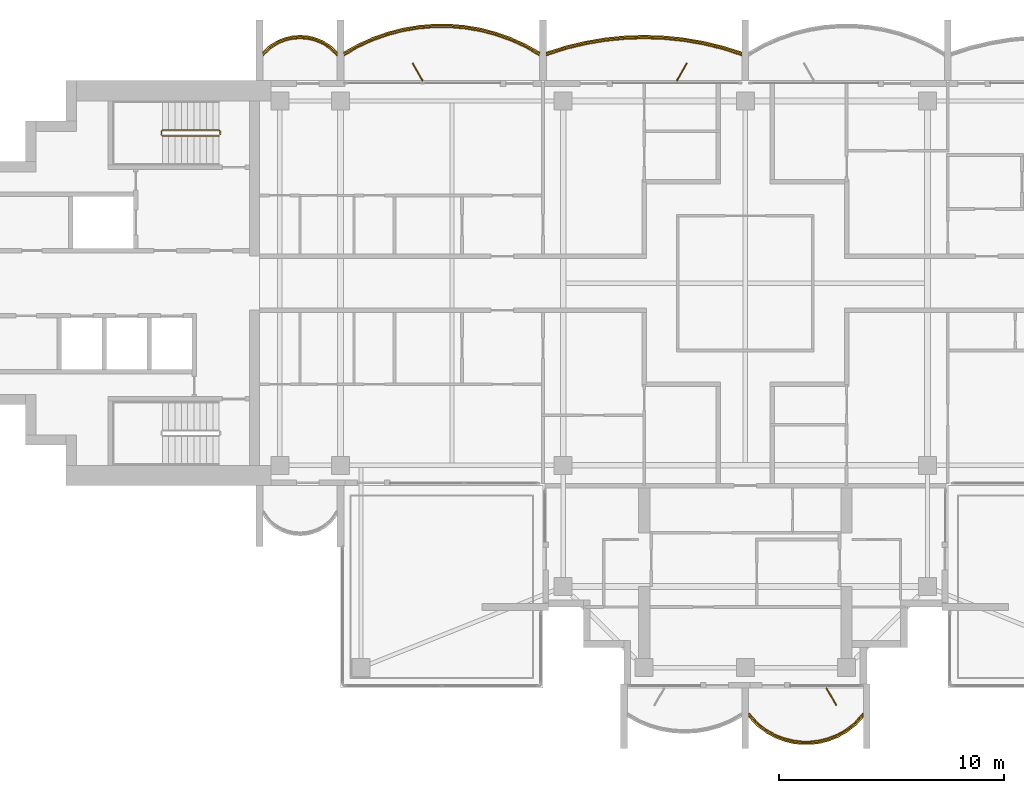
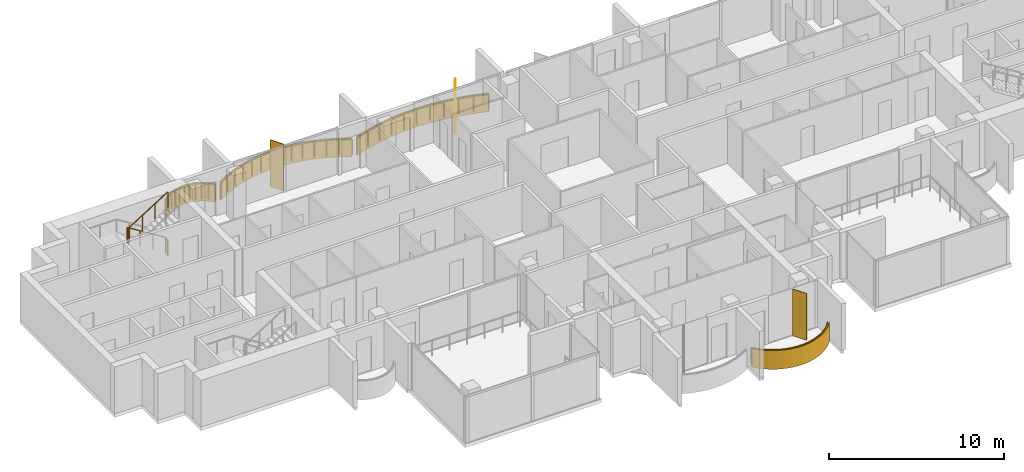
# One storey, part 14 of 16: 5 railings, 4 coverings, 3 shading devices.
"""IFC4 building model written with IfcOpenShell, lengths in metres."""

from ifc_helpers import new_model, si_unit, direction, frame, origin, origin_2d, place, context, subcontext, project, spatial, polyline, rectangle, outline, extrude, material, layer, layer_set, type_object, element, save


model = new_model("IFC4")

# Units and contexts
model_context = context("Model", 3, precision=1e-05, world=origin(), true_north=direction((0.0, 1.0)))
body_context = subcontext(model_context, "Body", "Model", "MODEL_VIEW")
ifc_project = project(units=[si_unit("LENGTHUNIT", "METRE"), si_unit("AREAUNIT", "SQUARE_METRE"), si_unit("VOLUMEUNIT", "CUBIC_METRE"), si_unit("PLANEANGLEUNIT", "RADIAN"), si_unit("MASSUNIT", "GRAM", prefix="KILO")], contexts=[model_context])

# Site, building, storey
site_placement = place(None, origin())
site = spatial("IfcSite", under=ifc_project, at=site_placement, CompositionType="ELEMENT")
building_placement = place(site_placement, origin())
building = spatial("IfcBuilding", under=site, at=building_placement, Name="Perihelion Cross Residences", CompositionType="ELEMENT")
storey_placement = place(building_placement, frame((0.0, 0.0, 274.5)))
storey = spatial("IfcBuildingStorey", under=building, at=storey_placement, Name="L70", CompositionType="ELEMENT", Elevation=274.5)

# Coverings
ifc_material_1 = material(Name="Bronze anodised aluminium", Category="aluminium")
ifc_layer_1 = layer(ifc_material_1, 0.070068359375)
ifc_layer_set_1 = layer_set([ifc_layer_1], Name="Balcony fascia 1300")
covering_type = type_object("IfcCoveringType", Name="Balcony fascia 1300", PredefinedType="CLADDING", material=ifc_layer_set_1)
covering_1_placement = place(storey_placement, frame((0.0, 0.0, -0.199951171875)))
element("IfcCovering", 1, at=covering_1_placement, inside=storey, type_object=covering_type, Name="Fascia BF1 L70 north side east bay 2", PredefinedType="CLADDING", context=body_context, shape_type="SweptSolid", body=[
    extrude(outline(polyline([(-1.001220703125, 10.542724609375), (-1.8759765625, 10.753662109375), (-2.750732421875, 10.90234375), (-3.625244140625, 10.99072265625), (-4.5, 11.02001953125), (-5.374755859375, 10.99072265625), (-6.249267578125, 10.90234375), (-7.1240234375, 10.753662109375), (-7.998779296875, 10.542724609375), (-8.85009765625, 10.2734375), (-8.85009765625, 10.199951171875), (-7.97998046875, 10.47509765625), (-7.110107421875, 10.68505859375), (-6.239990234375, 10.8330078125), (-5.3701171875, 10.9208984375), (-4.5, 10.949951171875), (-3.6298828125, 10.9208984375), (-2.760009765625, 10.8330078125), (-1.889892578125, 10.68505859375), (-1.02001953125, 10.47509765625), (-0.14990234375, 10.199951171875), (-0.14990234375, 10.2734375), (-1.001220703125, 10.542724609375)])), origin(), (0.0, 0.0, 1.0), 1.300048828125),
])
covering_2_placement = place(storey_placement, frame((0.0, 0.0, -0.199951171875)))
element("IfcCovering", 2, at=covering_2_placement, inside=storey, type_object=covering_type, Name="Fascia BF1 L70 west side north bay 1", PredefinedType="CLADDING", context=body_context, shape_type="SweptSolid", body=[
    extrude(outline(polyline([(-9.787841796875, 10.63916015625), (-10.462646484375, 10.941650390625), (-11.1376953125, 11.175048828125), (-11.8125, 11.345947265625), (-12.487548828125, 11.457763671875), (-13.16259765625, 11.51318359375), (-13.83740234375, 11.51318359375), (-14.512451171875, 11.457763671875), (-15.1875, 11.345947265625), (-15.8623046875, 11.175048828125), (-16.537353515625, 10.941650390625), (-17.212158203125, 10.63916015625), (-17.85009765625, 10.2802734375), (-17.85009765625, 10.199951171875), (-17.1806640625, 10.57666015625), (-16.511474609375, 10.87646484375), (-15.84228515625, 11.108154296875), (-15.173095703125, 11.27734375), (-14.50390625, 11.38818359375), (-13.834716796875, 11.443115234375), (-13.165283203125, 11.443115234375), (-12.49609375, 11.38818359375), (-11.826904296875, 11.27734375), (-11.15771484375, 11.108154296875), (-10.488525390625, 10.87646484375), (-9.8193359375, 10.57666015625), (-9.14990234375, 10.199951171875), (-9.14990234375, 10.2802734375), (-9.787841796875, 10.63916015625)])), origin(), (0.0, 0.0, 1.0), 1.300048828125),
])
covering_3_placement = place(storey_placement, frame((0.0, 0.0, -0.199951171875)))
element("IfcCovering", 3, at=covering_3_placement, inside=storey, type_object=covering_type, Name="Fascia BF1 L70 west side north bay 2", PredefinedType="CLADDING", context=body_context, shape_type="SweptSolid", body=[
    extrude(outline(polyline([(-18.4375, 10.56298828125), (-18.778076171875, 10.77587890625), (-19.11865234375, 10.914794921875), (-19.45947265625, 10.994140625), (-19.800048828125, 11.02001953125), (-20.140625, 10.994140625), (-20.481201171875, 10.914794921875), (-20.82177734375, 10.77587890625), (-21.16259765625, 10.56298828125), (-21.449951171875, 10.295654296875), (-21.449951171875, 10.199951171875), (-21.1201171875, 10.507568359375), (-20.7900390625, 10.71337890625), (-20.4599609375, 10.84814453125), (-20.1298828125, 10.925048828125), (-19.800048828125, 10.949951171875), (-19.469970703125, 10.925048828125), (-19.139892578125, 10.84814453125), (-18.81005859375, 10.71337890625), (-18.47998046875, 10.507568359375), (-18.14990234375, 10.199951171875), (-18.14990234375, 10.295654296875), (-18.4375, 10.56298828125)])), origin(), (0.0, 0.0, 1.0), 1.300048828125),
])
covering_4_placement = place(storey_placement, frame((0.0, 0.0, -0.199951171875)))
element("IfcCovering", 4, at=covering_4_placement, inside=storey, type_object=covering_type, Name="Fascia BF1 L70 south tip south bay 2", PredefinedType="CLADDING", context=body_context, shape_type="SweptSolid", body=[
    extrude(outline(polyline([(0.4951171875, -19.674072265625), (0.89599609375, -19.982666015625), (1.296875, -20.20654296875), (1.69775390625, -20.364013671875), (2.0986328125, -20.464599609375), (2.49951171875, -20.513916015625), (2.900390625, -20.513916015625), (3.30126953125, -20.464599609375), (3.7021484375, -20.364013671875), (4.10302734375, -20.20654296875), (4.50390625, -19.982666015625), (4.90478515625, -19.674072265625), (5.25, -19.302734375), (5.25, -19.199951171875), (4.857666015625, -19.622314453125), (4.46533203125, -19.924072265625), (4.072998046875, -20.143310546875), (3.6806640625, -20.29736328125), (3.28857421875, -20.39599609375), (2.896240234375, -20.444091796875), (2.50390625, -20.444091796875), (2.111572265625, -20.39599609375), (1.71923828125, -20.29736328125), (1.326904296875, -20.143310546875), (0.9345703125, -19.924072265625), (0.542236328125, -19.622314453125), (0.14990234375, -19.199951171875), (0.14990234375, -19.302734375), (0.4951171875, -19.674072265625)])), origin(), (0.0, 0.0, 1.0), 1.300048828125),
])

# Railings
ifc_material_2 = material(Name="Bronze anodised aluminium", Category="aluminium")
railing_type_1 = type_object("IfcRailingType", Name="Balcony guard 1100", PredefinedType="GUARDRAIL", material=ifc_material_2)
railing_1_placement = place(storey_placement, frame((-0.175048828125, 10.139892578125, 0.0)))
element("IfcRailing", 5, at=railing_1_placement, inside=storey, type_object=railing_type_1, Name="Guard GU1 L70 north side east bay 2 balcony", PredefinedType="GUARDRAIL", context=body_context, shape_type="SweptSolid", body=[
    extrude(rectangle(XDim=0.048095703125, YDim=0.048095703125, at=origin_2d()), frame((0.0, 0.0, 1.076171875), z_axis=(-0.950777354264, 0.30987484993, 0.0), x_axis=(-0.30987484993, -0.950777354264, 0.0)), (0.0, 0.0, 1.0), 0.888671875),
    extrude(rectangle(XDim=0.048095703125, YDim=0.048095703125, at=origin_2d()), frame((-0.844970703125, 0.275390625, 1.076171875), z_axis=(-0.972146551129, 0.234373810671, 0.0), x_axis=(-0.234373810671, -0.972146551129, 0.0)), (0.0, 0.0, 1.0), 0.894775390625),
    extrude(rectangle(XDim=0.048095703125, YDim=0.048095703125, at=origin_2d()), frame((-1.71484375, 0.485107421875, 1.076171875), z_axis=(-0.985850361727, 0.167627755108, 0.0), x_axis=(-0.167627755108, -0.985850361727, 0.0)), (0.0, 0.0, 1.0), 0.882568359375),
    extrude(rectangle(XDim=0.048095703125, YDim=0.048095703125, at=origin_2d()), frame((-2.5849609375, 0.633056640625, 1.076171875), z_axis=(-0.994934368303, 0.100526627165, 0.0), x_axis=(-0.100526627165, -0.994934368303, 0.0)), (0.0, 0.0, 1.0), 0.874267578125),
    extrude(rectangle(XDim=0.048095703125, YDim=0.048095703125, at=origin_2d()), frame((-3.454833984375, 0.720947265625, 1.076171875), z_axis=(-0.999443037968, 0.0333708534, 0.0), x_axis=(-0.0333708534, -0.999443037968, 0.0)), (0.0, 0.0, 1.0), 0.87060546875),
    extrude(rectangle(XDim=0.048095703125, YDim=0.048095703125, at=origin_2d()), frame((-4.324951171875, 0.75, 1.076171875), z_axis=(-0.999443037968, -0.0333708534, 0.0), x_axis=(0.0333708534, -0.999443037968, 0.0)), (0.0, 0.0, 1.0), 0.87060546875),
    extrude(rectangle(XDim=0.048095703125, YDim=0.048095703125, at=origin_2d()), frame((-5.195068359375, 0.720947265625, 1.076171875), z_axis=(-0.994934368303, -0.100526627165, 0.0), x_axis=(0.100526627165, -0.994934368303, 0.0)), (0.0, 0.0, 1.0), 0.874267578125),
    extrude(rectangle(XDim=0.048095703125, YDim=0.048095703125, at=origin_2d()), frame((-6.06494140625, 0.633056640625, 1.076171875), z_axis=(-0.985850361727, -0.167627755108, 0.0), x_axis=(0.167627755108, -0.985850361727, 0.0)), (0.0, 0.0, 1.0), 0.882568359375),
    extrude(rectangle(XDim=0.048095703125, YDim=0.048095703125, at=origin_2d()), frame((-6.93505859375, 0.485107421875, 1.076171875), z_axis=(-0.972146551129, -0.234373810671, 0.0), x_axis=(0.234373810671, -0.972146551129, 0.0)), (0.0, 0.0, 1.0), 0.894775390625),
    extrude(rectangle(XDim=0.048095703125, YDim=0.048095703125, at=origin_2d()), frame((-7.804931640625, 0.275390625, 1.076171875), z_axis=(-0.950777354264, -0.30987484993, 0.0), x_axis=(0.30987484993, -0.950777354264, 0.0)), (0.0, 0.0, 1.0), 0.888671875),
    extrude(rectangle(XDim=0.0419921875, YDim=0.0419921875, at=origin_2d()), origin(), (0.0, 0.0, 1.0), 1.052001953125),
    extrude(rectangle(XDim=0.0419921875, YDim=0.0419921875, at=origin_2d()), frame((-0.844970703125, 0.275390625, 0.0)), (0.0, 0.0, 1.0), 1.052001953125),
    extrude(rectangle(XDim=0.0419921875, YDim=0.0419921875, at=origin_2d()), frame((-1.71484375, 0.485107421875, 0.0)), (0.0, 0.0, 1.0), 1.052001953125),
    extrude(rectangle(XDim=0.0419921875, YDim=0.0419921875, at=origin_2d()), frame((-2.5849609375, 0.633056640625, 0.0)), (0.0, 0.0, 1.0), 1.052001953125),
    extrude(rectangle(XDim=0.0419921875, YDim=0.0419921875, at=origin_2d()), frame((-3.454833984375, 0.720947265625, 0.0)), (0.0, 0.0, 1.0), 1.052001953125),
    extrude(rectangle(XDim=0.0419921875, YDim=0.0419921875, at=origin_2d()), frame((-4.324951171875, 0.75, 0.0)), (0.0, 0.0, 1.0), 1.052001953125),
    extrude(rectangle(XDim=0.0419921875, YDim=0.0419921875, at=origin_2d()), frame((-5.195068359375, 0.720947265625, 0.0)), (0.0, 0.0, 1.0), 1.052001953125),
    extrude(rectangle(XDim=0.0419921875, YDim=0.0419921875, at=origin_2d()), frame((-6.06494140625, 0.633056640625, 0.0)), (0.0, 0.0, 1.0), 1.052001953125),
    extrude(rectangle(XDim=0.0419921875, YDim=0.0419921875, at=origin_2d()), frame((-6.93505859375, 0.485107421875, 0.0)), (0.0, 0.0, 1.0), 1.052001953125),
    extrude(rectangle(XDim=0.0419921875, YDim=0.0419921875, at=origin_2d()), frame((-7.804931640625, 0.275390625, 0.0)), (0.0, 0.0, 1.0), 1.052001953125),
    extrude(rectangle(XDim=0.0419921875, YDim=0.0419921875, at=origin_2d()), frame((-8.64990234375, 0.0, 0.0)), (0.0, 0.0, 1.0), 1.052001953125),
])
railing_2_placement = place(storey_placement, frame((-9.175048828125, 10.139892578125, 0.0)))
element("IfcRailing", 6, at=railing_2_placement, inside=storey, type_object=railing_type_1, Name="Guard GU1 L70 west side north bay 1 balcony", PredefinedType="GUARDRAIL", context=body_context, shape_type="SweptSolid", body=[
    extrude(rectangle(XDim=0.048095703125, YDim=0.048095703125, at=origin_2d()), frame((0.0, 0.0, 1.076171875), z_axis=(-0.863125740505, 0.504989065305, 0.0), x_axis=(-0.504989065305, -0.863125740505, 0.0)), (0.0, 0.0, 1.0), 0.746337890625),
    extrude(rectangle(XDim=0.048095703125, YDim=0.048095703125, at=origin_2d()), frame((-0.644287109375, 0.376953125, 1.076171875), z_axis=(-0.912723499295, 0.408577794103, 0.0), x_axis=(-0.408577794103, -0.912723499295, 0.0)), (0.0, 0.0, 1.0), 0.733154296875),
    extrude(rectangle(XDim=0.048095703125, YDim=0.048095703125, at=origin_2d()), frame((-1.3134765625, 0.676513671875, 1.076171875), z_axis=(-0.944965577734, 0.327169767701, 0.0), x_axis=(-0.327169767701, -0.944965577734, 0.0)), (0.0, 0.0, 1.0), 0.708251953125),
    extrude(rectangle(XDim=0.048095703125, YDim=0.048095703125, at=origin_2d()), frame((-1.982666015625, 0.908203125, 1.076171875), z_axis=(-0.96949408574, 0.245114703181, 0.0), x_axis=(-0.245114703181, -0.96949408574, 0.0)), (0.0, 0.0, 1.0), 0.690185546875),
    extrude(rectangle(XDim=0.048095703125, YDim=0.048095703125, at=origin_2d()), frame((-2.65185546875, 1.077392578125, 1.076171875), z_axis=(-0.986500713816, 0.163756959061, 0.0), x_axis=(-0.163756959061, -0.986500713816, 0.0)), (0.0, 0.0, 1.0), 0.678466796875),
    extrude(rectangle(XDim=0.048095703125, YDim=0.048095703125, at=origin_2d()), frame((-3.321044921875, 1.1884765625, 1.076171875), z_axis=(-0.996677390684, 0.081450468994, 0.0), x_axis=(-0.081450468994, -0.996677390684, 0.0)), (0.0, 0.0, 1.0), 0.67138671875),
    extrude(rectangle(XDim=0.048095703125, YDim=0.048095703125, at=origin_2d()), frame((-3.990234375, 1.2431640625, 1.076171875), z_axis=(-1.0, 0.0, 0.0), x_axis=(0.0, -1.0, 0.0)), (0.0, 0.0, 1.0), 0.66943359375),
    extrude(rectangle(XDim=0.048095703125, YDim=0.048095703125, at=origin_2d()), frame((-4.65966796875, 1.2431640625, 1.076171875), z_axis=(-0.996677390684, -0.081450468994, 0.0), x_axis=(0.081450468994, -0.996677390684, 0.0)), (0.0, 0.0, 1.0), 0.67138671875),
    extrude(rectangle(XDim=0.048095703125, YDim=0.048095703125, at=origin_2d()), frame((-5.328857421875, 1.1884765625, 1.076171875), z_axis=(-0.986500713816, -0.163756959061, 0.0), x_axis=(0.163756959061, -0.986500713816, 0.0)), (0.0, 0.0, 1.0), 0.678466796875),
    extrude(rectangle(XDim=0.048095703125, YDim=0.048095703125, at=origin_2d()), frame((-5.998046875, 1.077392578125, 1.076171875), z_axis=(-0.96949408574, -0.245114703181, 0.0), x_axis=(0.245114703181, -0.96949408574, 0.0)), (0.0, 0.0, 1.0), 0.690185546875),
    extrude(rectangle(XDim=0.048095703125, YDim=0.048095703125, at=origin_2d()), frame((-6.667236328125, 0.908203125, 1.076171875), z_axis=(-0.944965577734, -0.327169767701, 0.0), x_axis=(0.327169767701, -0.944965577734, 0.0)), (0.0, 0.0, 1.0), 0.708251953125),
    extrude(rectangle(XDim=0.048095703125, YDim=0.048095703125, at=origin_2d()), frame((-7.33642578125, 0.676513671875, 1.076171875), z_axis=(-0.912723499295, -0.408577794103, 0.0), x_axis=(0.408577794103, -0.912723499295, 0.0)), (0.0, 0.0, 1.0), 0.733154296875),
    extrude(rectangle(XDim=0.048095703125, YDim=0.048095703125, at=origin_2d()), frame((-8.005615234375, 0.376953125, 1.076171875), z_axis=(-0.863125740505, -0.504989065305, 0.0), x_axis=(0.504989065305, -0.863125740505, 0.0)), (0.0, 0.0, 1.0), 0.746337890625),
    extrude(rectangle(XDim=0.0419921875, YDim=0.0419921875, at=origin_2d()), origin(), (0.0, 0.0, 1.0), 1.052001953125),
    extrude(rectangle(XDim=0.0419921875, YDim=0.0419921875, at=origin_2d()), frame((-0.644287109375, 0.376953125, 0.0)), (0.0, 0.0, 1.0), 1.052001953125),
    extrude(rectangle(XDim=0.0419921875, YDim=0.0419921875, at=origin_2d()), frame((-1.3134765625, 0.676513671875, 0.0)), (0.0, 0.0, 1.0), 1.052001953125),
    extrude(rectangle(XDim=0.0419921875, YDim=0.0419921875, at=origin_2d()), frame((-1.982666015625, 0.908203125, 0.0)), (0.0, 0.0, 1.0), 1.052001953125),
    extrude(rectangle(XDim=0.0419921875, YDim=0.0419921875, at=origin_2d()), frame((-2.65185546875, 1.077392578125, 0.0)), (0.0, 0.0, 1.0), 1.052001953125),
    extrude(rectangle(XDim=0.0419921875, YDim=0.0419921875, at=origin_2d()), frame((-3.321044921875, 1.1884765625, 0.0)), (0.0, 0.0, 1.0), 1.052001953125),
    extrude(rectangle(XDim=0.0419921875, YDim=0.0419921875, at=origin_2d()), frame((-3.990234375, 1.2431640625, 0.0)), (0.0, 0.0, 1.0), 1.052001953125),
    extrude(rectangle(XDim=0.0419921875, YDim=0.0419921875, at=origin_2d()), frame((-4.65966796875, 1.2431640625, 0.0)), (0.0, 0.0, 1.0), 1.052001953125),
    extrude(rectangle(XDim=0.0419921875, YDim=0.0419921875, at=origin_2d()), frame((-5.328857421875, 1.1884765625, 0.0)), (0.0, 0.0, 1.0), 1.052001953125),
    extrude(rectangle(XDim=0.0419921875, YDim=0.0419921875, at=origin_2d()), frame((-5.998046875, 1.077392578125, 0.0)), (0.0, 0.0, 1.0), 1.052001953125),
    extrude(rectangle(XDim=0.0419921875, YDim=0.0419921875, at=origin_2d()), frame((-6.667236328125, 0.908203125, 0.0)), (0.0, 0.0, 1.0), 1.052001953125),
    extrude(rectangle(XDim=0.0419921875, YDim=0.0419921875, at=origin_2d()), frame((-7.33642578125, 0.676513671875, 0.0)), (0.0, 0.0, 1.0), 1.052001953125),
    extrude(rectangle(XDim=0.0419921875, YDim=0.0419921875, at=origin_2d()), frame((-8.005615234375, 0.376953125, 0.0)), (0.0, 0.0, 1.0), 1.052001953125),
    extrude(rectangle(XDim=0.0419921875, YDim=0.0419921875, at=origin_2d()), frame((-8.64990234375, 0.0, 0.0)), (0.0, 0.0, 1.0), 1.052001953125),
])
railing_3_placement = place(storey_placement, frame((-18.175048828125, 10.139892578125, 0.0)))
element("IfcRailing", 7, at=railing_3_placement, inside=storey, type_object=railing_type_1, Name="Guard GU1 L70 west side north bay 2 balcony", PredefinedType="GUARDRAIL", context=body_context, shape_type="SweptSolid", body=[
    extrude(rectangle(XDim=0.048095703125, YDim=0.048095703125, at=origin_2d()), frame((0.0, 0.0, 1.076171875), z_axis=(-0.703999905859, 0.710200065158, 0.0), x_axis=(-0.710200065158, -0.703999905859, 0.0)), (0.0, 0.0, 1.0), 0.43310546875),
    extrude(rectangle(XDim=0.048095703125, YDim=0.048095703125, at=origin_2d()), frame((-0.304931640625, 0.3076171875, 1.076171875), z_axis=(-0.848280173265, 0.529547682127, 0.0), x_axis=(-0.529547682127, -0.848280173265, 0.0)), (0.0, 0.0, 1.0), 0.38916015625),
    extrude(rectangle(XDim=0.048095703125, YDim=0.048095703125, at=origin_2d()), frame((-0.635009765625, 0.513671875, 1.076171875), z_axis=(-0.925950379976, 0.377645195682, 0.0), x_axis=(-0.377645195682, -0.925950379976, 0.0)), (0.0, 0.0, 1.0), 0.356201171875),
    extrude(rectangle(XDim=0.048095703125, YDim=0.048095703125, at=origin_2d()), frame((-0.96484375, 0.648193359375, 1.076171875), z_axis=(-0.97391554583, 0.226910796551, 0.0), x_axis=(-0.226910796551, -0.97391554583, 0.0)), (0.0, 0.0, 1.0), 0.3388671875),
    extrude(rectangle(XDim=0.048095703125, YDim=0.048095703125, at=origin_2d()), frame((-1.294921875, 0.72509765625, 1.076171875), z_axis=(-0.997166208737, 0.075229995038, 0.0), x_axis=(-0.075229995038, -0.997166208737, 0.0)), (0.0, 0.0, 1.0), 0.3310546875),
    extrude(rectangle(XDim=0.048095703125, YDim=0.048095703125, at=origin_2d()), frame((-1.625, 0.75, 1.076171875), z_axis=(-0.997162029931, -0.075285364214, 0.0), x_axis=(0.075285364214, -0.997162029931, 0.0)), (0.0, 0.0, 1.0), 0.330810546875),
    extrude(rectangle(XDim=0.048095703125, YDim=0.048095703125, at=origin_2d()), frame((-1.954833984375, 0.72509765625, 1.076171875), z_axis=(-0.97391554583, -0.226910796551, 0.0), x_axis=(0.226910796551, -0.97391554583, 0.0)), (0.0, 0.0, 1.0), 0.3388671875),
    extrude(rectangle(XDim=0.048095703125, YDim=0.048095703125, at=origin_2d()), frame((-2.284912109375, 0.648193359375, 1.076171875), z_axis=(-0.926048033295, -0.377405670374, 0.0), x_axis=(0.377405670374, -0.926048033295, 0.0)), (0.0, 0.0, 1.0), 0.3564453125),
    extrude(rectangle(XDim=0.048095703125, YDim=0.048095703125, at=origin_2d()), frame((-2.614990234375, 0.513671875, 1.076171875), z_axis=(-0.848280173265, -0.529547682127, 0.0), x_axis=(0.529547682127, -0.848280173265, 0.0)), (0.0, 0.0, 1.0), 0.38916015625),
    extrude(rectangle(XDim=0.048095703125, YDim=0.048095703125, at=origin_2d()), frame((-2.945068359375, 0.3076171875, 1.076171875), z_axis=(-0.703999905859, -0.710200065158, 0.0), x_axis=(0.710200065158, -0.703999905859, 0.0)), (0.0, 0.0, 1.0), 0.43310546875),
    extrude(rectangle(XDim=0.0419921875, YDim=0.0419921875, at=origin_2d()), origin(), (0.0, 0.0, 1.0), 1.052001953125),
    extrude(rectangle(XDim=0.0419921875, YDim=0.0419921875, at=origin_2d()), frame((-0.304931640625, 0.3076171875, 0.0)), (0.0, 0.0, 1.0), 1.052001953125),
    extrude(rectangle(XDim=0.0419921875, YDim=0.0419921875, at=origin_2d()), frame((-0.635009765625, 0.513671875, 0.0)), (0.0, 0.0, 1.0), 1.052001953125),
    extrude(rectangle(XDim=0.0419921875, YDim=0.0419921875, at=origin_2d()), frame((-0.96484375, 0.648193359375, 0.0)), (0.0, 0.0, 1.0), 1.052001953125),
    extrude(rectangle(XDim=0.0419921875, YDim=0.0419921875, at=origin_2d()), frame((-1.294921875, 0.72509765625, 0.0)), (0.0, 0.0, 1.0), 1.052001953125),
    extrude(rectangle(XDim=0.0419921875, YDim=0.0419921875, at=origin_2d()), frame((-1.625, 0.75, 0.0)), (0.0, 0.0, 1.0), 1.052001953125),
    extrude(rectangle(XDim=0.0419921875, YDim=0.0419921875, at=origin_2d()), frame((-1.954833984375, 0.72509765625, 0.0)), (0.0, 0.0, 1.0), 1.052001953125),
    extrude(rectangle(XDim=0.0419921875, YDim=0.0419921875, at=origin_2d()), frame((-2.284912109375, 0.648193359375, 0.0)), (0.0, 0.0, 1.0), 1.052001953125),
    extrude(rectangle(XDim=0.0419921875, YDim=0.0419921875, at=origin_2d()), frame((-2.614990234375, 0.513671875, 0.0)), (0.0, 0.0, 1.0), 1.052001953125),
    extrude(rectangle(XDim=0.0419921875, YDim=0.0419921875, at=origin_2d()), frame((-2.945068359375, 0.3076171875, 0.0)), (0.0, 0.0, 1.0), 1.052001953125),
    extrude(rectangle(XDim=0.0419921875, YDim=0.0419921875, at=origin_2d()), frame((-3.25, 0.0, 0.0)), (0.0, 0.0, 1.0), 1.052001953125),
])
railing_4_placement = place(storey_placement, frame((0.175048828125, -19.139892578125, 0.0)))
element("IfcRailing", 8, at=railing_4_placement, inside=storey, type_object=railing_type_1, Name="Guard GU1 L70 south tip south bay 2 balcony", PredefinedType="GUARDRAIL", context=body_context, shape_type="SweptSolid", body=[
    extrude(rectangle(XDim=0.048095703125, YDim=0.048095703125, at=origin_2d()), frame((0.0, 0.0, 1.076171875), z_axis=(0.656092309534, -0.754680648599, 0.0), x_axis=(0.754680648599, 0.656092309534, 0.0)), (0.0, 0.0, 1.0), 0.5595703125),
    extrude(rectangle(XDim=0.048095703125, YDim=0.048095703125, at=origin_2d()), frame((0.3671875, -0.42236328125, 1.076171875), z_axis=(0.792660660899, -0.60966308455, 0.0), x_axis=(0.60966308455, 0.792660660899, 0.0)), (0.0, 0.0, 1.0), 0.494873046875),
    extrude(rectangle(XDim=0.048095703125, YDim=0.048095703125, at=origin_2d()), frame((0.759521484375, -0.72412109375, 1.076171875), z_axis=(0.872950285698, -0.487809182674, 0.0), x_axis=(0.487809182674, 0.872950285698, 0.0)), (0.0, 0.0, 1.0), 0.449462890625),
    extrude(rectangle(XDim=0.048095703125, YDim=0.048095703125, at=origin_2d()), frame((1.15185546875, -0.943359375, 1.076171875), z_axis=(0.930814842219, -0.365491079925, 0.0), x_axis=(0.365491079925, 0.930814842219, 0.0)), (0.0, 0.0, 1.0), 0.42138671875),
    extrude(rectangle(XDim=0.048095703125, YDim=0.048095703125, at=origin_2d()), frame((1.544189453125, -1.097412109375, 1.076171875), z_axis=(0.969822159145, -0.243813411509, 0.0), x_axis=(0.243813411509, 0.969822159145, 0.0)), (0.0, 0.0, 1.0), 0.404541015625),
    extrude(rectangle(XDim=0.048095703125, YDim=0.048095703125, at=origin_2d()), frame((1.9365234375, -1.196044921875, 1.076171875), z_axis=(0.992569651699, -0.121677797999, 0.0), x_axis=(0.121677797999, 0.992569651699, 0.0)), (0.0, 0.0, 1.0), 0.395263671875),
    extrude(rectangle(XDim=0.048095703125, YDim=0.048095703125, at=origin_2d()), frame((2.328857421875, -1.244140625, 1.076171875), z_axis=(1.0, 0.0, 0.0), x_axis=(0.0, 1.0, 0.0)), (0.0, 0.0, 1.0), 0.392333984375),
    extrude(rectangle(XDim=0.048095703125, YDim=0.048095703125, at=origin_2d()), frame((2.72119140625, -1.244140625, 1.076171875), z_axis=(0.992569651699, 0.121677797999, 0.0), x_axis=(-0.121677797999, 0.992569651699, 0.0)), (0.0, 0.0, 1.0), 0.395263671875),
    extrude(rectangle(XDim=0.048095703125, YDim=0.048095703125, at=origin_2d()), frame((3.113525390625, -1.196044921875, 1.076171875), z_axis=(0.969786252666, 0.243956193074, 0.0), x_axis=(-0.243956193074, 0.969786252666, 0.0)), (0.0, 0.0, 1.0), 0.404296875),
    extrude(rectangle(XDim=0.048095703125, YDim=0.048095703125, at=origin_2d()), frame((3.505615234375, -1.097412109375, 1.076171875), z_axis=(0.930814842219, 0.365491079925, 0.0), x_axis=(-0.365491079925, 0.930814842219, 0.0)), (0.0, 0.0, 1.0), 0.42138671875),
    extrude(rectangle(XDim=0.048095703125, YDim=0.048095703125, at=origin_2d()), frame((3.89794921875, -0.943359375, 1.076171875), z_axis=(0.872950285698, 0.487809182674, 0.0), x_axis=(-0.487809182674, 0.872950285698, 0.0)), (0.0, 0.0, 1.0), 0.449462890625),
    extrude(rectangle(XDim=0.048095703125, YDim=0.048095703125, at=origin_2d()), frame((4.290283203125, -0.72412109375, 1.076171875), z_axis=(0.792660660899, 0.60966308455, 0.0), x_axis=(-0.60966308455, 0.792660660899, 0.0)), (0.0, 0.0, 1.0), 0.494873046875),
    extrude(rectangle(XDim=0.048095703125, YDim=0.048095703125, at=origin_2d()), frame((4.6826171875, -0.42236328125, 1.076171875), z_axis=(0.656340655493, 0.754464673757, 0.0), x_axis=(-0.754464673757, 0.656340655493, 0.0)), (0.0, 0.0, 1.0), 0.559814453125),
    extrude(rectangle(XDim=0.0419921875, YDim=0.0419921875, at=origin_2d()), origin(), (0.0, 0.0, 1.0), 1.052001953125),
    extrude(rectangle(XDim=0.0419921875, YDim=0.0419921875, at=origin_2d()), frame((0.3671875, -0.42236328125, 0.0)), (0.0, 0.0, 1.0), 1.052001953125),
    extrude(rectangle(XDim=0.0419921875, YDim=0.0419921875, at=origin_2d()), frame((0.759521484375, -0.72412109375, 0.0)), (0.0, 0.0, 1.0), 1.052001953125),
    extrude(rectangle(XDim=0.0419921875, YDim=0.0419921875, at=origin_2d()), frame((1.15185546875, -0.943359375, 0.0)), (0.0, 0.0, 1.0), 1.052001953125),
    extrude(rectangle(XDim=0.0419921875, YDim=0.0419921875, at=origin_2d()), frame((1.544189453125, -1.097412109375, 0.0)), (0.0, 0.0, 1.0), 1.052001953125),
    extrude(rectangle(XDim=0.0419921875, YDim=0.0419921875, at=origin_2d()), frame((1.9365234375, -1.196044921875, 0.0)), (0.0, 0.0, 1.0), 1.052001953125),
    extrude(rectangle(XDim=0.0419921875, YDim=0.0419921875, at=origin_2d()), frame((2.328857421875, -1.244140625, 0.0)), (0.0, 0.0, 1.0), 1.052001953125),
    extrude(rectangle(XDim=0.0419921875, YDim=0.0419921875, at=origin_2d()), frame((2.72119140625, -1.244140625, 0.0)), (0.0, 0.0, 1.0), 1.052001953125),
    extrude(rectangle(XDim=0.0419921875, YDim=0.0419921875, at=origin_2d()), frame((3.113525390625, -1.196044921875, 0.0)), (0.0, 0.0, 1.0), 1.052001953125),
    extrude(rectangle(XDim=0.0419921875, YDim=0.0419921875, at=origin_2d()), frame((3.505615234375, -1.097412109375, 0.0)), (0.0, 0.0, 1.0), 1.052001953125),
    extrude(rectangle(XDim=0.0419921875, YDim=0.0419921875, at=origin_2d()), frame((3.89794921875, -0.943359375, 0.0)), (0.0, 0.0, 1.0), 1.052001953125),
    extrude(rectangle(XDim=0.0419921875, YDim=0.0419921875, at=origin_2d()), frame((4.290283203125, -0.72412109375, 0.0)), (0.0, 0.0, 1.0), 1.052001953125),
    extrude(rectangle(XDim=0.0419921875, YDim=0.0419921875, at=origin_2d()), frame((4.6826171875, -0.42236328125, 0.0)), (0.0, 0.0, 1.0), 1.052001953125),
    extrude(rectangle(XDim=0.0419921875, YDim=0.0419921875, at=origin_2d()), frame((5.050048828125, 0.0, 0.0)), (0.0, 0.0, 1.0), 1.052001953125),
])

# Shading devices
ifc_material_3 = material(Name="Bronze anodised aluminium", Category="aluminium")
ifc_layer_2 = layer(ifc_material_3, 0.050048828125)
ifc_layer_set_2 = layer_set([ifc_layer_2], Name="Bronze fin 900")
shading_device_type = type_object("IfcShadingDeviceType", Name="Bronze fin 900", PredefinedType="USERDEFINED", material=ifc_layer_set_2)
for number, where, z_axis, x_axis, name in (
    (9, (-2.824951171875, 9.3896484375, 0.0), (0.0, 0.0, 1.0), (0.5, 0.866025403784, 0.0), "Fin FN1 L70 north side east bay 2"),
    (10, (-14.574951171875, 9.3896484375, 0.0), (0.0, 0.0, 1.0), (-0.5, 0.866025403784, 0.0), "Fin FN1 L70 west side north bay 1"),
    (11, (3.824951171875, -18.3896484375, 0.0), (0.0, 0.0, 1.0), (0.5, -0.866025403784, 0.0), "Fin FN1 L70 south tip south bay 2"),
):
    element("IfcShadingDevice", number, at=place(storey_placement, frame(where, z_axis=z_axis, x_axis=x_axis)), inside=storey, type_object=shading_device_type, Name=name, ObjectType="FIN", PredefinedType="USERDEFINED", context=body_context, shape_type="SweptSolid", body=[
        extrude(rectangle(XDim=0.89990234375, YDim=0.050048828125, at=origin_2d()), origin(), (0.0, 0.0, 1.0), 3.25),
    ])

# Railing
ifc_material_4 = material(Name="Stainless steel", Category="steel")
railing_type_2 = type_object("IfcRailingType", Name="Stair guard 1100", PredefinedType="GUARDRAIL", material=ifc_material_4)
railing_5_placement = place(storey_placement, frame((-23.35009765625, 6.60009765625, 0.0)))
element("IfcRailing", 12, at=railing_5_placement, inside=storey, type_object=railing_type_2, Name="L70 ST-W1 stair guard 1", PredefinedType="GUARDRAIL", context=body_context, shape_type="SweptSolid", body=[
    extrude(rectangle(XDim=0.048095703125, YDim=0.048095703125, at=origin_2d()), frame((0.0, 0.0, 1.076171875), z_axis=(0.0, 1.0, 0.0), x_axis=(-1.0, 0.0, 0.0)), (0.0, 0.0, 1.0), 0.14990234375),
    extrude(rectangle(XDim=0.048095703125, YDim=0.048095703125, at=origin_2d()), frame((0.0, 0.14990234375, 1.076171875), z_axis=(-0.263862480399, 0.265155923931, 0.927399011991), x_axis=(-0.708833529934, -0.705375805398, 0.0)), (0.0, 0.0, 1.0), 0.188720703125),
    extrude(rectangle(XDim=0.048095703125, YDim=0.048095703125, at=origin_2d()), frame((-0.0498046875, 0.199951171875, 1.2509765625), z_axis=(-0.848007534815, 0.0, 0.529984170421), x_axis=(0.0, -1.0, 0.0)), (0.0, 0.0, 1.0), 2.9716796875),
    extrude(rectangle(XDim=0.048095703125, YDim=0.048095703125, at=origin_2d()), frame((-2.56982421875, 0.199951171875, 2.826171875), z_axis=(-0.707106781187, -0.707106781187, 0.0), x_axis=(0.707106781187, -0.707106781187, 0.0)), (0.0, 0.0, 1.0), 0.07080078125),
    extrude(rectangle(XDim=0.048095703125, YDim=0.048095703125, at=origin_2d()), frame((-2.619873046875, 0.14990234375, 2.826171875), z_axis=(0.0, -1.0, 0.0), x_axis=(1.0, 0.0, 0.0)), (0.0, 0.0, 1.0), 0.14990234375),
    extrude(rectangle(XDim=0.048095703125, YDim=0.048095703125, at=origin_2d()), frame((-2.619873046875, 0.0, 2.826171875), z_axis=(0.265065253269, -0.265065253269, 0.927081885822), x_axis=(0.707106781187, 0.707106781187, 0.0)), (0.0, 0.0, 1.0), 0.188720703125),
    extrude(rectangle(XDim=0.048095703125, YDim=0.048095703125, at=origin_2d()), frame((-2.56982421875, -0.050048828125, 3.0009765625), z_axis=(0.848007534815, 0.0, 0.529984170421), x_axis=(0.0, 1.0, 0.0)), (0.0, 0.0, 1.0), 2.9716796875),
    extrude(rectangle(XDim=0.0419921875, YDim=0.0419921875, at=origin_2d()), origin(), (0.0, 0.0, 1.0), 1.052001953125),
    extrude(rectangle(XDim=0.0419921875, YDim=0.0419921875, at=origin_2d()), frame((0.0, 0.14990234375, 0.0)), (0.0, 0.0, 1.0), 1.052001953125),
    extrude(rectangle(XDim=0.0419921875, YDim=0.0419921875, at=origin_2d()), frame((-0.0498046875, 0.199951171875, 0.175048828125)), (0.0, 0.0, 1.0), 1.052001953125),
    extrude(rectangle(XDim=0.0419921875, YDim=0.0419921875, at=origin_2d()), frame((-0.889892578125, 0.199951171875, 0.699951171875)), (0.0, 0.0, 1.0), 1.052001953125),
    extrude(rectangle(XDim=0.0419921875, YDim=0.0419921875, at=origin_2d()), frame((-1.729736328125, 0.199951171875, 1.22509765625)), (0.0, 0.0, 1.0), 1.052001953125),
    extrude(rectangle(XDim=0.0419921875, YDim=0.0419921875, at=origin_2d()), frame((-2.56982421875, 0.199951171875, 1.75)), (0.0, 0.0, 1.0), 1.052001953125),
    extrude(rectangle(XDim=0.0419921875, YDim=0.0419921875, at=origin_2d()), frame((-2.619873046875, 0.14990234375, 1.75)), (0.0, 0.0, 1.0), 1.052001953125),
    extrude(rectangle(XDim=0.0419921875, YDim=0.0419921875, at=origin_2d()), frame((-2.619873046875, 0.0, 1.75)), (0.0, 0.0, 1.0), 1.052001953125),
    extrude(rectangle(XDim=0.0419921875, YDim=0.0419921875, at=origin_2d()), frame((-2.56982421875, -0.050048828125, 1.925048828125)), (0.0, 0.0, 1.0), 1.052001953125),
    extrude(rectangle(XDim=0.0419921875, YDim=0.0419921875, at=origin_2d()), frame((-1.729736328125, -0.050048828125, 2.449951171875)), (0.0, 0.0, 1.0), 1.052001953125),
    extrude(rectangle(XDim=0.0419921875, YDim=0.0419921875, at=origin_2d()), frame((-0.889892578125, -0.050048828125, 2.97509765625)), (0.0, 0.0, 1.0), 1.052001953125),
    extrude(rectangle(XDim=0.0419921875, YDim=0.0419921875, at=origin_2d()), frame((-0.0498046875, -0.050048828125, 3.5)), (0.0, 0.0, 1.0), 1.052001953125),
])

save(model, "model.ifc")
